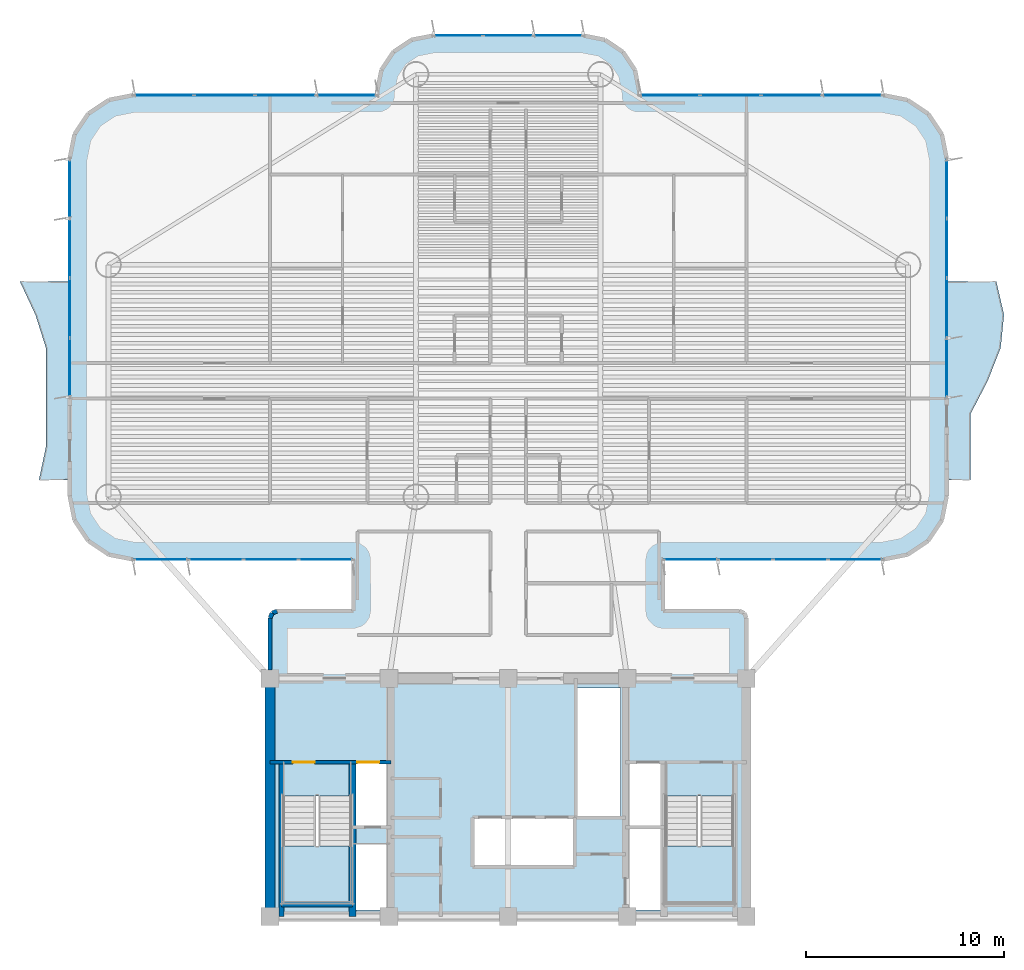
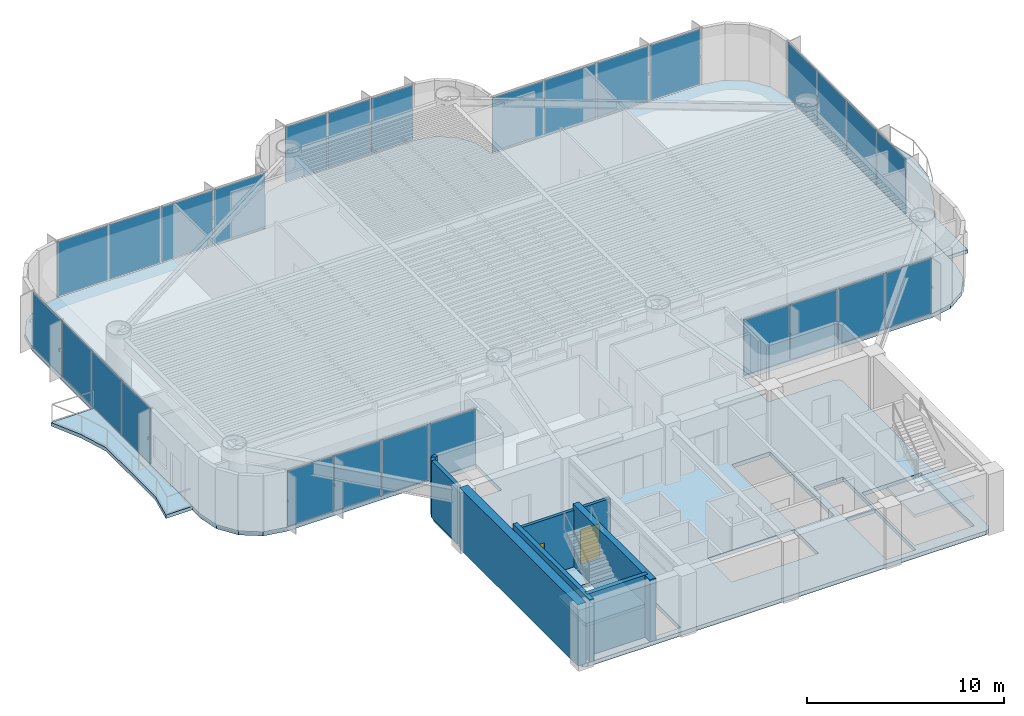
# One storey, part 8 of 17: 27 plates, 8 walls, 5 slabs, 2 doors, 2 openings, 9 elements without a shape of their own.
"""IFC4 building model written with IfcOpenShell, lengths in metres."""

import ifcopenshell
import ifcopenshell.guid

model = None  # the IFC model being written
_history = None  # IfcOwnerHistory: only IFC2X3 demands one
_inside = {}  # id of a spatial element -> (the spatial element, [elements in it])
_under = {}  # id of a project, library or spatial element -> (it, [spatial elements below it])
_declared = {}  # id of a project -> (the project, [libraries it declares])
_typed = {}  # id of a type object -> (the type object, [elements of that type])
_made_of = {}  # id of a material, layer set ... -> (it, [elements and type objects made of it])


def new_model(schema):
    """Start an empty IFC model of exactly this schema.

    Asked for "IFC4X3", IfcOpenShell would pick the latest addendum, in which some entities
    have other attributes; the version numbers below select the first issue.
    IFC2X3 requires an IfcOwnerHistory on every rooted entity: one is made here for all.
    """
    global model, _history
    if schema == "IFC4X3":
        model = ifcopenshell.file(schema_version=(4, 3, 0, 0))
    else:
        model = ifcopenshell.file(schema=schema)
    _inside.clear()
    _under.clear()
    _declared.clear()
    _typed.clear()
    _made_of.clear()
    _history = None
    if model.schema == "IFC2X3":
        org = make("IfcOrganization", Name="unknown")
        user = make(
            "IfcPersonAndOrganization",
            ThePerson=make("IfcPerson", FamilyName="unknown"),
            TheOrganization=org,
        )
        app = make(
            "IfcApplication",
            ApplicationDeveloper=org,
            Version="unknown",
            ApplicationFullName="unknown",
            ApplicationIdentifier="unknown",
        )
        _history = make(
            "IfcOwnerHistory",
            OwningUser=user,
            OwningApplication=app,
            ChangeAction="ADDED",
            CreationDate=0,
        )
    return model


def make(cls, **values):
    """One entity of the class cls with the attributes given. An attribute that is None is left unset."""
    return model.create_entity(
        cls, **{name: value for name, value in values.items() if value is not None}
    )


def rooted(cls, **values):
    """An entity with a GlobalId (a new one), such as an element, a storey or a relation."""
    return make(cls, GlobalId=ifcopenshell.guid.new(), OwnerHistory=_history, **values)


def si_unit(unit_type, name, prefix=None):
    """IfcSIUnit, for example si_unit("LENGTHUNIT", "METRE", prefix="MILLI")."""
    return make("IfcSIUnit", UnitType=unit_type, Prefix=prefix, Name=name)


def assignment(units):
    """IfcUnitAssignment: the units of a project."""
    return None if units is None else make("IfcUnitAssignment", Units=units)


def point(xyz):
    """IfcCartesianPoint."""
    return None if xyz is None else make("IfcCartesianPoint", Coordinates=xyz)


def direction(xyz):
    """IfcDirection."""
    return None if xyz is None else make("IfcDirection", DirectionRatios=xyz)


def frame(location, z_axis=None, x_axis=None):
    """IfcAxis2Placement3D, a coordinate frame: its origin and axes. An axis left out is left unset."""
    return make(
        "IfcAxis2Placement3D",
        Location=point(location),
        Axis=direction(z_axis),
        RefDirection=direction(x_axis),
    )


def frame_2d(location, x_axis=None):
    """IfcAxis2Placement2D, a coordinate frame in the plane: its origin and x axis."""
    return make(
        "IfcAxis2Placement2D", Location=point(location), RefDirection=direction(x_axis)
    )


def origin():
    """The frame at (0, 0, 0) with its axes left unset."""
    return frame((0.0, 0.0, 0.0))


def origin_2d():
    """The frame at (0, 0) in the plane with its x axis left unset."""
    return frame_2d((0.0, 0.0))


def place(relative_to, where):
    """IfcLocalPlacement: puts the frame where relative to a parent placement (None: the world)."""
    return make(
        "IfcLocalPlacement", PlacementRelTo=relative_to, RelativePlacement=where
    )


def context(
    kind, dimensions, precision=None, world=None, true_north=None, identifier=None
):
    """IfcGeometricRepresentationContext, for example the 3D "Model" context."""
    return make(
        "IfcGeometricRepresentationContext",
        ContextIdentifier=identifier,
        ContextType=kind,
        CoordinateSpaceDimension=dimensions,
        Precision=precision,
        WorldCoordinateSystem=world,
        TrueNorth=true_north,
    )


def subcontext(parent, identifier, kind, view, scale=None):
    """IfcGeometricRepresentationSubContext, for example "Body" below "Model"."""
    return make(
        "IfcGeometricRepresentationSubContext",
        ContextIdentifier=identifier,
        ContextType=kind,
        ParentContext=parent,
        TargetScale=scale,
        TargetView=view,
    )


def project(units=None, contexts=None):
    """IfcProject with its units and contexts."""
    return rooted(
        "IfcProject",
        Name="project",
        RepresentationContexts=contexts,
        UnitsInContext=assignment(units),
    )


def spatial(cls, under=None, at=None, **own):
    """A site, building, storey or space (cls), placed at a placement, below another one or the project."""
    s = rooted(cls, ObjectPlacement=at, **own)
    if under is not None:
        _under.setdefault(under.id(), (under, []))[1].append(s)
    return s


def polyline(points):
    """IfcPolyline through the points."""
    return make("IfcPolyline", Points=[point(p) for p in points])


def profile(cls, at=None, kind="AREA", **sizes):
    """A parametric profile (cls). Its sizes go by their IFC names, for example OverallWidth=200.0."""
    return make(cls, ProfileType=kind, Position=at, **sizes)


def rectangle(**sizes):
    """IfcRectangleProfileDef."""
    return profile("IfcRectangleProfileDef", **sizes)


def outline(outer, holes=None, kind="AREA"):
    """IfcArbitraryClosedProfileDef: a profile drawn as a closed curve; with holes, ...WithVoids."""
    if holes is None:
        return make("IfcArbitraryClosedProfileDef", ProfileType=kind, OuterCurve=outer)
    return make(
        "IfcArbitraryProfileDefWithVoids",
        ProfileType=kind,
        OuterCurve=outer,
        InnerCurves=holes,
    )


def extrude(swept, where, along, depth):
    """IfcExtrudedAreaSolid: the profile swept, set in the frame where, extruded along a direction by depth."""
    return make(
        "IfcExtrudedAreaSolid",
        SweptArea=swept,
        Position=where,
        ExtrudedDirection=direction(along),
        Depth=depth,
    )


def shape(context_of_items, identifier, shape_type, items):
    """IfcShapeRepresentation: the items that make up one representation, for example the "Body"."""
    return make(
        "IfcShapeRepresentation",
        ContextOfItems=context_of_items,
        RepresentationIdentifier=identifier,
        RepresentationType=shape_type,
        Items=items,
    )


def source(mapping_origin, context_of_items, identifier, shape_type, items):
    """IfcRepresentationMap: a shape defined once, which mapped items show again and again."""
    return make(
        "IfcRepresentationMap",
        MappingOrigin=mapping_origin,
        MappedRepresentation=shape(context_of_items, identifier, shape_type, items),
    )


def transform(
    local_origin,
    x_axis=None,
    y_axis=None,
    z_axis=None,
    scale=None,
    scale2=None,
    scale3=None,
    uniform=True,
):
    """IfcCartesianTransformationOperator3D, or its non-uniform kind. x_axis, y_axis, z_axis: its Axis1, 2, 3."""
    if uniform:
        return make(
            "IfcCartesianTransformationOperator3D",
            Axis1=direction(x_axis),
            Axis2=direction(y_axis),
            LocalOrigin=point(local_origin),
            Scale=scale,
            Axis3=direction(z_axis),
        )
    return make(
        "IfcCartesianTransformationOperator3DnonUniform",
        Axis1=direction(x_axis),
        Axis2=direction(y_axis),
        LocalOrigin=point(local_origin),
        Scale=scale,
        Axis3=direction(z_axis),
        Scale2=scale2,
        Scale3=scale3,
    )


def mapped(mapping_source, mapping_target):
    """IfcMappedItem: shows the shape of a source again, moved by a transform."""
    return make(
        "IfcMappedItem", MappingSource=mapping_source, MappingTarget=mapping_target
    )


def material(Name=None, Category=None):
    """IfcMaterial."""
    return make("IfcMaterial", Name=Name, Category=Category)


def layer(
    of_material, thickness, ventilated=None, Name=None, Category=None, Priority=None
):
    """IfcMaterialLayer: one layer of a wall or slab, of a material (None: an air gap)."""
    return make(
        "IfcMaterialLayer",
        Material=of_material,
        LayerThickness=thickness,
        IsVentilated=ventilated,
        Name=Name,
        Category=Category,
        Priority=Priority,
    )


def layer_set(layers, Name=None):
    """IfcMaterialLayerSet."""
    return make("IfcMaterialLayerSet", MaterialLayers=layers, LayerSetName=Name)


def made_of(thing, what):
    """Note that an element or type object is made of a material, layer set ...; save() writes the relation."""
    if what is not None:
        _made_of.setdefault(what.id(), (what, []))[1].append(thing)
    return thing


def type_object(cls, material=None, **own):
    """A type object (cls), such as IfcWallType, which elements share."""
    return made_of(rooted(cls, **own), material)


def element(
    cls,
    number,
    at=None,
    inside=None,
    cuts=None,
    type_object=None,
    material=None,
    context=None,
    identifier="Body",
    shape_type=None,
    held_by="IfcProductDefinitionShape",
    body=None,
    shapes=None,
    **own,
):
    """One element of the class cls, such as IfcWall. Its Tag is "e" and its number.

    at: its placement. inside: the storey or other place that contains it. cuts: it is an
    opening in that element (IfcRelVoidsElement). A single representation is given by context,
    identifier, shape_type and body (its items); several are given by shapes. held_by: the class
    of the entity that holds the representations. save() writes the other relations.
    """
    e = rooted(cls, Tag="e%d" % number, ObjectPlacement=at, **own)
    if body is not None:
        shapes = [shape(context, identifier, shape_type, body)]
    if shapes is not None:
        e.Representation = make(held_by, Representations=shapes)
    if inside is not None:
        _inside.setdefault(inside.id(), (inside, []))[1].append(e)
    if cuts is not None:
        rooted(
            "IfcRelVoidsElement", RelatingBuildingElement=cuts, RelatedOpeningElement=e
        )
    if type_object is not None:
        _typed.setdefault(type_object.id(), (type_object, []))[1].append(e)
    return made_of(e, material)


def fill(opening, filler):
    """IfcRelFillsElement: the door or window that sits in an opening."""
    return rooted(
        "IfcRelFillsElement",
        RelatingOpeningElement=opening,
        RelatedBuildingElement=filler,
    )


def aggregate(whole, parts):
    """IfcRelAggregates: a whole, such as a stair, and the parts it consists of."""
    return rooted("IfcRelAggregates", RelatingObject=whole, RelatedObjects=parts)


def save(model, path):
    """Write the relations noted so far, then the file.

    IfcRelAggregates (storeys below a building ...), IfcRelContainedInSpatialStructure (elements
    in a storey), IfcRelDefinesByType, IfcRelAssociatesMaterial and IfcRelDeclares: one each for
    every whole, place, type object, material and project.
    """
    for whole, parts in _under.values():
        aggregate(whole, parts)
    for where, things in _inside.values():
        rooted(
            "IfcRelContainedInSpatialStructure",
            RelatedElements=things,
            RelatingStructure=where,
        )
    for kind, things in _typed.values():
        rooted("IfcRelDefinesByType", RelatedObjects=things, RelatingType=kind)
    for what, things in _made_of.values():
        rooted("IfcRelAssociatesMaterial", RelatedObjects=things, RelatingMaterial=what)
    for by, libraries in _declared.values():
        rooted("IfcRelDeclares", RelatingContext=by, RelatedDefinitions=libraries)
    model.write(path)


model = new_model("IFC4")

# Units and contexts
model_context = context("Model", 3, precision=1e-05, world=origin(), true_north=direction((0.0, 1.0)))
body_context = subcontext(model_context, "Body", "Model", "MODEL_VIEW")
ifc_project = project(units=[si_unit("LENGTHUNIT", "METRE"), si_unit("AREAUNIT", "SQUARE_METRE"), si_unit("VOLUMEUNIT", "CUBIC_METRE"), si_unit("PLANEANGLEUNIT", "RADIAN"), si_unit("MASSUNIT", "GRAM", prefix="KILO")], contexts=[model_context])

# Site, building, storey
site_placement = place(None, origin())
site = spatial("IfcSite", under=ifc_project, at=site_placement, CompositionType="ELEMENT")
building_placement = place(site_placement, origin())
building = spatial("IfcBuilding", under=site, at=building_placement, Name="Brelvock Crest Care Tower", CompositionType="ELEMENT")
storey_placement = place(building_placement, frame((0.0, 0.0, 93.60009765625)))
storey = spatial("IfcBuildingStorey", under=building, at=storey_placement, Name="L23", CompositionType="ELEMENT", Elevation=93.60009765625)

# Slabs
ifc_material_1 = material(Name="Concrete N50 (50 MPa)", Category="concrete")
ifc_layer_1 = layer(ifc_material_1, 0.22998046875, Name="SLB-FL4")
ifc_layer_set_1 = layer_set([ifc_layer_1], Name="Concrete N50 (50 MPa)")
slab_type_1 = type_object("IfcSlabType", Name="SLB-FL4", PredefinedType="FLOOR", material=ifc_layer_set_1)
slab_1_placement = place(storey_placement, frame((0.0, 0.0, -0.25)))
element("IfcSlab", 1, at=slab_1_placement, inside=storey, type_object=slab_type_1, Name="L23 Main Structural Slab", PredefinedType="FLOOR", context=body_context, shape_type="SweptSolid", body=[
    extrude(outline(polyline([(47.64990234375, 21.39990234375), (43.800048828125, 21.39990234375), (43.800048828125, 24.0), (54.89990234375, 24.0), (56.12451171875, 24.24365234375), (57.16259765625, 24.937255859375), (57.8564453125, 25.975341796875), (58.10009765625, 27.199951171875), (58.10009765625, 44.199951171875), (57.8564453125, 45.424560546875), (57.16259765625, 46.462646484375), (56.12451171875, 47.156494140625), (54.89990234375, 47.39990234375), (42.60009765625, 47.39990234375), (42.60009765625, 47.60009765625), (42.386962890625, 48.67138671875), (41.77978515625, 49.579833984375), (40.87158203125, 50.18701171875), (39.800048828125, 50.39990234375), (32.199951171875, 50.39990234375), (31.12841796875, 50.18701171875), (30.22021484375, 49.579833984375), (29.613037109375, 48.67138671875), (29.39990234375, 47.60009765625), (29.39990234375, 47.39990234375), (17.10009765625, 47.39990234375), (15.87548828125, 47.156494140625), (14.83740234375, 46.462646484375), (14.1435546875, 45.424560546875), (13.89990234375, 44.199951171875), (13.89990234375, 27.199951171875), (14.1435546875, 25.975341796875), (14.83740234375, 24.937255859375), (15.87548828125, 24.24365234375), (17.10009765625, 24.0), (28.199951171875, 24.0), (28.199951171875, 21.39990234375), (24.35009765625, 21.39990234375), (24.1025390625, 21.297607421875), (24.0, 21.050048828125), (24.0, 6.35009765625), (24.1025390625, 6.1025390625), (24.35009765625, 6.0), (47.64990234375, 6.0), (47.8974609375, 6.1025390625), (48.0, 6.35009765625), (48.0, 21.050048828125), (47.8974609375, 21.297607421875), (47.64990234375, 21.39990234375)]), holes=[polyline([(28.239990234375, 10.580078125), (29.97998046875, 10.580078125), (29.97998046875, 13.739990234375), (28.239990234375, 13.739990234375), (28.239990234375, 10.580078125)]), polyline([(42.02001953125, 10.580078125), (43.760009765625, 10.580078125), (43.760009765625, 13.739990234375), (42.02001953125, 13.739990234375), (42.02001953125, 10.580078125)]), polyline([(28.239990234375, 6.340087890625), (29.97998046875, 6.340087890625), (29.97998046875, 9.64990234375), (28.239990234375, 9.64990234375), (28.239990234375, 6.340087890625)]), polyline([(24.6298828125, 12.080078125), (24.6298828125, 6.699951171875), (28.110107421875, 6.699951171875), (28.110107421875, 12.080078125), (24.6298828125, 12.080078125)]), polyline([(43.889892578125, 12.080078125), (43.889892578125, 6.699951171875), (47.3701171875, 6.699951171875), (47.3701171875, 12.080078125), (43.889892578125, 12.080078125)]), polyline([(42.02001953125, 6.340087890625), (43.760009765625, 6.340087890625), (43.760009765625, 10.5), (42.02001953125, 10.5), (42.02001953125, 6.340087890625)]), polyline([(34.22998046875, 8.530029296875), (39.320068359375, 8.530029296875), (39.320068359375, 10.969970703125), (34.22998046875, 10.969970703125), (34.22998046875, 8.530029296875)]), polyline([(39.429931640625, 11.030029296875), (41.669921875, 11.030029296875), (41.669921875, 17.52001953125), (39.429931640625, 17.52001953125), (39.429931640625, 11.030029296875)])]), origin(), (0.0, 0.0, 1.0), 0.25),
])
ifc_layer_2 = layer(ifc_material_1, 0.219970703125, Name="SLB-WB1")
ifc_layer_set_2 = layer_set([ifc_layer_2], Name="Concrete N50 (50 MPa)")
slab_type_2 = type_object("IfcSlabType", Name="SLB-WB1", PredefinedType="FLOOR", material=ifc_layer_set_2)
slab_2_placement = place(storey_placement, frame((0.0, 0.0, -0.22021484375)))
element("IfcSlab", 2, at=slab_2_placement, inside=storey, type_object=slab_type_2, Name="L23 W Sinusoidal Wave Balcony Slab", PredefinedType="FLOOR", context=body_context, shape_type="SweptSolid", body=[
    extrude(outline(polyline([(13.89990234375, 38.0), (11.3955078125, 38.0), (12.173828125, 36.333251953125), (12.699951171875, 34.666748046875), (12.699951171875, 33.0), (12.699951171875, 31.333251953125), (12.699951171875, 29.666748046875), (12.35009765625, 28.0), (13.89990234375, 28.0), (13.89990234375, 38.0)])), origin(), (0.0, 0.0, 1.0), 0.22021484375),
])
slab_3_placement = place(storey_placement, frame((0.0, 0.0, -0.22021484375)))
element("IfcSlab", 3, at=slab_3_placement, inside=storey, type_object=slab_type_2, Name="L23 E Sinusoidal Wave Balcony Slab", PredefinedType="FLOOR", context=body_context, shape_type="SweptSolid", body=[
    extrude(outline(polyline([(58.10009765625, 28.0), (59.300048828125, 28.0), (59.300048828125, 29.666748046875), (59.300537109375, 31.333251953125), (60.16650390625, 33.0), (60.819091796875, 34.666748046875), (60.988525390625, 36.333251953125), (60.6044921875, 38.0), (58.10009765625, 38.0), (58.10009765625, 28.0)])), origin(), (0.0, 0.0, 1.0), 0.22021484375),
])

# Stair, slab
ifc_material_2 = material(Name="Concrete N40 (40 MPa)", Category="concrete")
stair_type = type_object("IfcStairType", Name="ST-CORE1", PredefinedType="HALF_TURN_STAIR", material=ifc_material_2)
stair_1_placement = place(storey_placement, origin())
stair_1 = element("IfcStair", 4, at=stair_1_placement, inside=storey, type_object=stair_type, Name="L23 Fire-Isolated Core Stair ST-1", PredefinedType="HALF_TURN_STAIR")
ifc_layer_3 = layer(ifc_material_2, 0.199951171875, Name="STL-1")
ifc_layer_set_3 = layer_set([ifc_layer_3], Name="Concrete N40 (40 MPa)")
slab_type_3 = type_object("IfcSlabType", Name="STL-1", PredefinedType="LANDING", material=ifc_layer_set_3)
slab_4_placement = place(storey_placement, frame((0.0, 0.0, 1.68994140625)))
slab_4 = element("IfcSlab", 5, at=slab_4_placement, type_object=slab_type_3, Name="ST-1 landing 1", PredefinedType="LANDING", context=body_context, shape_type="SweptSolid", body=[
    extrude(outline(polyline([(24.6298828125, 9.56005859375), (24.6298828125, 6.699951171875), (28.110107421875, 6.699951171875), (28.110107421875, 9.56005859375), (24.6298828125, 9.56005859375)])), origin(), (0.0, 0.0, 1.0), 0.199951171875),
])
aggregate(stair_1, [slab_4])

stair_2_placement = place(storey_placement, origin())
stair_2 = element("IfcStair", 6, at=stair_2_placement, inside=storey, type_object=stair_type, Name="L23 Fire-Isolated Core Stair ST-2", PredefinedType="HALF_TURN_STAIR")
slab_5_placement = place(storey_placement, frame((0.0, 0.0, 1.68994140625)))
slab_5 = element("IfcSlab", 7, at=slab_5_placement, type_object=slab_type_3, Name="ST-2 landing 1", PredefinedType="LANDING", context=body_context, shape_type="SweptSolid", body=[
    extrude(outline(polyline([(43.889892578125, 9.56005859375), (43.889892578125, 6.699951171875), (47.3701171875, 6.699951171875), (47.3701171875, 9.56005859375), (43.889892578125, 9.56005859375)])), origin(), (0.0, 0.0, 1.0), 0.199951171875),
])
aggregate(stair_2, [slab_5])

# Curtain wall, plates
ifc_material_3 = material(Name="Dark Glass Double Glazed Low-E", Category="glass")
ifc_layer_4 = layer(ifc_material_3, 0.2099609375, Name="CWS-3")
ifc_layer_set_4 = layer_set([ifc_layer_4], Name="Dark Glass Double Glazed Low-E")
curtain_wall_type = type_object("IfcCurtainWallType", Name="CWS-3", PredefinedType="NOTDEFINED", material=ifc_layer_set_4)
curtain_wall_1_placement = place(storey_placement, origin())
curtain_wall_1 = element("IfcCurtainWall", 8, at=curtain_wall_1_placement, inside=storey, type_object=curtain_wall_type, Name="L23 Curtain Wall E12", PredefinedType="NOTDEFINED")
ifc_layer_5 = layer(ifc_material_3, 0.031982421875, Name="CWP-V1")
ifc_layer_set_5 = layer_set([ifc_layer_5], Name="Dark Glass Double Glazed Low-E")
plate_type = type_object("IfcPlateType", Name="CWP-V1", PredefinedType="CURTAIN_PANEL", material=ifc_layer_set_5)
shared_shape_1 = source(origin(), body_context, "Body", "SweptSolid", [
    extrude(rectangle(XDim=2.68505859375, YDim=0.035888671875, at=origin_2d()), origin(), (0.0, 0.0, 1.0), 3.409912109375),
])
plate_1_placement = place(storey_placement, frame((26.797607421875, 24.0, 0.06005859375), z_axis=(0.0, 0.0, 1.0), x_axis=(-1.0, 0.0, 0.0)))
plate_1 = element("IfcPlate", 9, at=plate_1_placement, type_object=plate_type, Name="CW-3 panel 1.1", PredefinedType="CURTAIN_PANEL", context=body_context, shape_type="MappedRepresentation", body=[
    mapped(shared_shape_1, transform((0.0, 0.0, 0.0), x_axis=(1.0, 0.0, 0.0), y_axis=(0.0, 1.0, 0.0), z_axis=(0.0, 0.0, 1.0), scale=1.0)),
])
plate_2_placement = place(storey_placement, frame((18.50244140625, 24.0, 0.06005859375), z_axis=(0.0, 0.0, 1.0), x_axis=(-1.0, 0.0, 0.0)))
plate_2 = element("IfcPlate", 10, at=plate_2_placement, type_object=plate_type, Name="CW-3 panel 4.1", PredefinedType="CURTAIN_PANEL", context=body_context, shape_type="MappedRepresentation", body=[
    mapped(shared_shape_1, transform((0.0, 0.0, 0.0), x_axis=(1.0, 0.0, 0.0), y_axis=(0.0, 1.0, 0.0), z_axis=(0.0, 0.0, 1.0), scale=1.0)),
])

curtain_wall_2_placement = place(storey_placement, origin())
curtain_wall_2 = element("IfcCurtainWall", 11, at=curtain_wall_2_placement, inside=storey, type_object=curtain_wall_type, Name="L23 Curtain Wall E44", PredefinedType="NOTDEFINED")
plate_3_placement = place(storey_placement, frame((53.49755859375, 24.0, 0.06005859375), z_axis=(0.0, 0.0, 1.0), x_axis=(-1.0, 0.0, 0.0)))
plate_3 = element("IfcPlate", 12, at=plate_3_placement, type_object=plate_type, Name="CW-3 panel 1.1", PredefinedType="CURTAIN_PANEL", context=body_context, shape_type="MappedRepresentation", body=[
    mapped(shared_shape_1, transform((0.0, 0.0, 0.0), x_axis=(1.0, 0.0, 0.0), y_axis=(0.0, 1.0, 0.0), z_axis=(0.0, 0.0, 1.0), scale=1.0)),
])
plate_4_placement = place(storey_placement, frame((45.202392578125, 24.0, 0.06005859375), z_axis=(0.0, 0.0, 1.0), x_axis=(-1.0, 0.0, 0.0)))
plate_4 = element("IfcPlate", 13, at=plate_4_placement, type_object=plate_type, Name="CW-3 panel 4.1", PredefinedType="CURTAIN_PANEL", context=body_context, shape_type="MappedRepresentation", body=[
    mapped(shared_shape_1, transform((0.0, 0.0, 0.0), x_axis=(1.0, 0.0, 0.0), y_axis=(0.0, 1.0, 0.0), z_axis=(0.0, 0.0, 1.0), scale=1.0)),
])

# Plate
shared_shape_2 = source(origin(), body_context, "Body", "SweptSolid", [
    extrude(rectangle(XDim=2.715087890625, YDim=0.035888671875, at=origin_2d()), origin(), (0.0, 0.0, 1.0), 3.409912109375),
])
plate_5_placement = place(storey_placement, frame((24.03759765625, 24.0, 0.06005859375), z_axis=(0.0, 0.0, 1.0), x_axis=(-1.0, 0.0, 0.0)))
plate_5 = element("IfcPlate", 14, at=plate_5_placement, type_object=plate_type, Name="CW-3 panel 2.1", PredefinedType="CURTAIN_PANEL", context=body_context, shape_type="MappedRepresentation", body=[
    mapped(shared_shape_2, transform((0.0, 0.0, 0.0), x_axis=(1.0, 0.0, 0.0), y_axis=(0.0, 1.0, 0.0), z_axis=(0.0, 0.0, 1.0), scale=1.0)),
])

plate_6_placement = place(storey_placement, frame((21.262451171875, 24.0, 0.06005859375), z_axis=(0.0, 0.0, 1.0), x_axis=(-1.0, 0.0, 0.0)))
plate_6 = element("IfcPlate", 15, at=plate_6_placement, type_object=plate_type, Name="CW-3 panel 3.1", PredefinedType="CURTAIN_PANEL", context=body_context, shape_type="MappedRepresentation", body=[
    mapped(shared_shape_2, transform((0.0, 0.0, 0.0), x_axis=(1.0, 0.0, 0.0), y_axis=(0.0, 1.0, 0.0), z_axis=(0.0, 0.0, 1.0), scale=1.0)),
])

aggregate(curtain_wall_1, [plate_1, plate_5, plate_6, plate_2])

plate_7_placement = place(storey_placement, frame((50.737548828125, 24.0, 0.06005859375), z_axis=(0.0, 0.0, 1.0), x_axis=(-1.0, 0.0, 0.0)))
plate_7 = element("IfcPlate", 16, at=plate_7_placement, type_object=plate_type, Name="CW-3 panel 2.1", PredefinedType="CURTAIN_PANEL", context=body_context, shape_type="MappedRepresentation", body=[
    mapped(shared_shape_2, transform((0.0, 0.0, 0.0), x_axis=(1.0, 0.0, 0.0), y_axis=(0.0, 1.0, 0.0), z_axis=(0.0, 0.0, 1.0), scale=1.0)),
])

plate_8_placement = place(storey_placement, frame((47.96240234375, 24.0, 0.06005859375), z_axis=(0.0, 0.0, 1.0), x_axis=(-1.0, 0.0, 0.0)))
plate_8 = element("IfcPlate", 17, at=plate_8_placement, type_object=plate_type, Name="CW-3 panel 3.1", PredefinedType="CURTAIN_PANEL", context=body_context, shape_type="MappedRepresentation", body=[
    mapped(shared_shape_2, transform((0.0, 0.0, 0.0), x_axis=(1.0, 0.0, 0.0), y_axis=(0.0, 1.0, 0.0), z_axis=(0.0, 0.0, 1.0), scale=1.0)),
])

aggregate(curtain_wall_2, [plate_3, plate_7, plate_8, plate_4])

# Curtain wall, plates
curtain_wall_3_placement = place(storey_placement, origin())
curtain_wall_3 = element("IfcCurtainWall", 18, at=curtain_wall_3_placement, inside=storey, type_object=curtain_wall_type, Name="L23 Curtain Wall E17B", PredefinedType="NOTDEFINED")
shared_shape_3 = source(origin(), body_context, "Body", "SweptSolid", [
    extrude(rectangle(XDim=2.922607421875, YDim=0.035888671875, at=origin_2d()), origin(), (0.0, 0.0, 1.0), 3.409912109375),
])
plate_9_placement = place(storey_placement, frame((13.89990234375, 33.671142578125, 0.06005859375), z_axis=(0.0, 0.0, 1.0), x_axis=(0.0, 1.0, 0.0)))
plate_9 = element("IfcPlate", 19, at=plate_9_placement, type_object=plate_type, Name="CW-3 panel 1.1", PredefinedType="CURTAIN_PANEL", context=body_context, shape_type="MappedRepresentation", body=[
    mapped(shared_shape_3, transform((0.0, 0.0, 0.0), x_axis=(1.0, 0.0, 0.0), y_axis=(0.0, 1.0, 0.0), z_axis=(0.0, 0.0, 1.0), scale=1.0)),
])
plate_10_placement = place(storey_placement, frame((13.89990234375, 42.6787109375, 0.06005859375), z_axis=(0.0, 0.0, 1.0), x_axis=(0.0, 1.0, 0.0)))
plate_10 = element("IfcPlate", 20, at=plate_10_placement, type_object=plate_type, Name="CW-3 panel 4.1", PredefinedType="CURTAIN_PANEL", context=body_context, shape_type="MappedRepresentation", body=[
    mapped(shared_shape_3, transform((0.0, 0.0, 0.0), x_axis=(1.0, 0.0, 0.0), y_axis=(0.0, 1.0, 0.0), z_axis=(0.0, 0.0, 1.0), scale=1.0)),
])

curtain_wall_4_placement = place(storey_placement, origin())
curtain_wall_4 = element("IfcCurtainWall", 21, at=curtain_wall_4_placement, inside=storey, type_object=curtain_wall_type, Name="L23 Curtain Wall E39A", PredefinedType="NOTDEFINED")
plate_11_placement = place(storey_placement, frame((58.10009765625, 42.6787109375, 0.06005859375), z_axis=(0.0, 0.0, 1.0), x_axis=(0.0, -1.0, 0.0)))
plate_11 = element("IfcPlate", 22, at=plate_11_placement, type_object=plate_type, Name="CW-3 panel 1.1", PredefinedType="CURTAIN_PANEL", context=body_context, shape_type="MappedRepresentation", body=[
    mapped(shared_shape_3, transform((0.0, 0.0, 0.0), x_axis=(1.0, 0.0, 0.0), y_axis=(0.0, 1.0, 0.0), z_axis=(0.0, 0.0, 1.0), scale=1.0)),
])
plate_12_placement = place(storey_placement, frame((58.10009765625, 33.671142578125, 0.06005859375), z_axis=(0.0, 0.0, 1.0), x_axis=(0.0, -1.0, 0.0)))
plate_12 = element("IfcPlate", 23, at=plate_12_placement, type_object=plate_type, Name="CW-3 panel 4.1", PredefinedType="CURTAIN_PANEL", context=body_context, shape_type="MappedRepresentation", body=[
    mapped(shared_shape_3, transform((0.0, 0.0, 0.0), x_axis=(1.0, 0.0, 0.0), y_axis=(0.0, 1.0, 0.0), z_axis=(0.0, 0.0, 1.0), scale=1.0)),
])

# Plate
shared_shape_4 = source(origin(), body_context, "Body", "SweptSolid", [
    extrude(rectangle(XDim=2.952392578125, YDim=0.035888671875, at=origin_2d()), origin(), (0.0, 0.0, 1.0), 3.409912109375),
])
plate_13_placement = place(storey_placement, frame((13.89990234375, 36.668701171875, 0.06005859375), z_axis=(0.0, 0.0, 1.0), x_axis=(0.0, 1.0, 0.0)))
plate_13 = element("IfcPlate", 24, at=plate_13_placement, type_object=plate_type, Name="CW-3 panel 2.1", PredefinedType="CURTAIN_PANEL", context=body_context, shape_type="MappedRepresentation", body=[
    mapped(shared_shape_4, transform((0.0, 0.0, 0.0), x_axis=(1.0, 0.0, 0.0), y_axis=(0.0, 1.0, 0.0), z_axis=(0.0, 0.0, 1.0), scale=1.0)),
])

plate_14_placement = place(storey_placement, frame((13.89990234375, 39.68115234375, 0.06005859375), z_axis=(0.0, 0.0, 1.0), x_axis=(0.0, 1.0, 0.0)))
plate_14 = element("IfcPlate", 25, at=plate_14_placement, type_object=plate_type, Name="CW-3 panel 3.1", PredefinedType="CURTAIN_PANEL", context=body_context, shape_type="MappedRepresentation", body=[
    mapped(shared_shape_4, transform((0.0, 0.0, 0.0), x_axis=(1.0, 0.0, 0.0), y_axis=(0.0, 1.0, 0.0), z_axis=(0.0, 0.0, 1.0), scale=1.0)),
])

aggregate(curtain_wall_3, [plate_9, plate_13, plate_14, plate_10])

plate_15_placement = place(storey_placement, frame((58.10009765625, 39.68115234375, 0.06005859375), z_axis=(0.0, 0.0, 1.0), x_axis=(0.0, -1.0, 0.0)))
plate_15 = element("IfcPlate", 26, at=plate_15_placement, type_object=plate_type, Name="CW-3 panel 2.1", PredefinedType="CURTAIN_PANEL", context=body_context, shape_type="MappedRepresentation", body=[
    mapped(shared_shape_4, transform((0.0, 0.0, 0.0), x_axis=(1.0, 0.0, 0.0), y_axis=(0.0, 1.0, 0.0), z_axis=(0.0, 0.0, 1.0), scale=1.0)),
])

plate_16_placement = place(storey_placement, frame((58.10009765625, 36.668701171875, 0.06005859375), z_axis=(0.0, 0.0, 1.0), x_axis=(0.0, -1.0, 0.0)))
plate_16 = element("IfcPlate", 27, at=plate_16_placement, type_object=plate_type, Name="CW-3 panel 3.1", PredefinedType="CURTAIN_PANEL", context=body_context, shape_type="MappedRepresentation", body=[
    mapped(shared_shape_4, transform((0.0, 0.0, 0.0), x_axis=(1.0, 0.0, 0.0), y_axis=(0.0, 1.0, 0.0), z_axis=(0.0, 0.0, 1.0), scale=1.0)),
])

aggregate(curtain_wall_4, [plate_11, plate_15, plate_16, plate_12])

# Curtain wall, plates
curtain_wall_5_placement = place(storey_placement, origin())
curtain_wall_5 = element("IfcCurtainWall", 28, at=curtain_wall_5_placement, inside=storey, type_object=curtain_wall_type, Name="L23 Curtain Wall E22", PredefinedType="NOTDEFINED")
shared_shape_5 = source(origin(), body_context, "Body", "SweptSolid", [
    extrude(rectangle(XDim=2.985107421875, YDim=0.035888671875, at=origin_2d()), origin(), (0.0, 0.0, 1.0), 3.409912109375),
])
plate_17_placement = place(storey_placement, frame((18.652587890625, 47.39990234375, 0.06005859375), z_axis=(0.0, 0.0, 1.0), x_axis=(1.0, 0.0, 0.0)))
plate_17 = element("IfcPlate", 29, at=plate_17_placement, type_object=plate_type, Name="CW-3 panel 1.1", PredefinedType="CURTAIN_PANEL", context=body_context, shape_type="MappedRepresentation", body=[
    mapped(shared_shape_5, transform((0.0, 0.0, 0.0), x_axis=(1.0, 0.0, 0.0), y_axis=(0.0, 1.0, 0.0), z_axis=(0.0, 0.0, 1.0), scale=1.0)),
])
plate_18_placement = place(storey_placement, frame((27.847412109375, 47.39990234375, 0.06005859375), z_axis=(0.0, 0.0, 1.0), x_axis=(1.0, 0.0, 0.0)))
plate_18 = element("IfcPlate", 30, at=plate_18_placement, type_object=plate_type, Name="CW-3 panel 4.1", PredefinedType="CURTAIN_PANEL", context=body_context, shape_type="MappedRepresentation", body=[
    mapped(shared_shape_5, transform((0.0, 0.0, 0.0), x_axis=(1.0, 0.0, 0.0), y_axis=(0.0, 1.0, 0.0), z_axis=(0.0, 0.0, 1.0), scale=1.0)),
])

curtain_wall_6_placement = place(storey_placement, origin())
curtain_wall_6 = element("IfcCurtainWall", 31, at=curtain_wall_6_placement, inside=storey, type_object=curtain_wall_type, Name="L23 Curtain Wall E34", PredefinedType="NOTDEFINED")
plate_19_placement = place(storey_placement, frame((44.152587890625, 47.39990234375, 0.06005859375), z_axis=(0.0, 0.0, 1.0), x_axis=(1.0, 0.0, 0.0)))
plate_19 = element("IfcPlate", 32, at=plate_19_placement, type_object=plate_type, Name="CW-3 panel 1.1", PredefinedType="CURTAIN_PANEL", context=body_context, shape_type="MappedRepresentation", body=[
    mapped(shared_shape_5, transform((0.0, 0.0, 0.0), x_axis=(1.0, 0.0, 0.0), y_axis=(0.0, 1.0, 0.0), z_axis=(0.0, 0.0, 1.0), scale=1.0)),
])
plate_20_placement = place(storey_placement, frame((53.347412109375, 47.39990234375, 0.06005859375), z_axis=(0.0, 0.0, 1.0), x_axis=(1.0, 0.0, 0.0)))
plate_20 = element("IfcPlate", 33, at=plate_20_placement, type_object=plate_type, Name="CW-3 panel 4.1", PredefinedType="CURTAIN_PANEL", context=body_context, shape_type="MappedRepresentation", body=[
    mapped(shared_shape_5, transform((0.0, 0.0, 0.0), x_axis=(1.0, 0.0, 0.0), y_axis=(0.0, 1.0, 0.0), z_axis=(0.0, 0.0, 1.0), scale=1.0)),
])

# Plate
shared_shape_6 = source(origin(), body_context, "Body", "SweptSolid", [
    extrude(rectangle(XDim=3.014892578125, YDim=0.035888671875, at=origin_2d()), origin(), (0.0, 0.0, 1.0), 3.409912109375),
])
plate_21_placement = place(storey_placement, frame((21.71240234375, 47.39990234375, 0.06005859375), z_axis=(0.0, 0.0, 1.0), x_axis=(1.0, 0.0, 0.0)))
plate_21 = element("IfcPlate", 34, at=plate_21_placement, type_object=plate_type, Name="CW-3 panel 2.1", PredefinedType="CURTAIN_PANEL", context=body_context, shape_type="MappedRepresentation", body=[
    mapped(shared_shape_6, transform((0.0, 0.0, 0.0), x_axis=(1.0, 0.0, 0.0), y_axis=(0.0, 1.0, 0.0), z_axis=(0.0, 0.0, 1.0), scale=1.0)),
])

plate_22_placement = place(storey_placement, frame((24.78759765625, 47.39990234375, 0.06005859375), z_axis=(0.0, 0.0, 1.0), x_axis=(1.0, 0.0, 0.0)))
plate_22 = element("IfcPlate", 35, at=plate_22_placement, type_object=plate_type, Name="CW-3 panel 3.1", PredefinedType="CURTAIN_PANEL", context=body_context, shape_type="MappedRepresentation", body=[
    mapped(shared_shape_6, transform((0.0, 0.0, 0.0), x_axis=(1.0, 0.0, 0.0), y_axis=(0.0, 1.0, 0.0), z_axis=(0.0, 0.0, 1.0), scale=1.0)),
])

aggregate(curtain_wall_5, [plate_17, plate_21, plate_22, plate_18])

plate_23_placement = place(storey_placement, frame((47.21240234375, 47.39990234375, 0.06005859375), z_axis=(0.0, 0.0, 1.0), x_axis=(1.0, 0.0, 0.0)))
plate_23 = element("IfcPlate", 36, at=plate_23_placement, type_object=plate_type, Name="CW-3 panel 2.1", PredefinedType="CURTAIN_PANEL", context=body_context, shape_type="MappedRepresentation", body=[
    mapped(shared_shape_6, transform((0.0, 0.0, 0.0), x_axis=(1.0, 0.0, 0.0), y_axis=(0.0, 1.0, 0.0), z_axis=(0.0, 0.0, 1.0), scale=1.0)),
])

plate_24_placement = place(storey_placement, frame((50.28759765625, 47.39990234375, 0.06005859375), z_axis=(0.0, 0.0, 1.0), x_axis=(1.0, 0.0, 0.0)))
plate_24 = element("IfcPlate", 37, at=plate_24_placement, type_object=plate_type, Name="CW-3 panel 3.1", PredefinedType="CURTAIN_PANEL", context=body_context, shape_type="MappedRepresentation", body=[
    mapped(shared_shape_6, transform((0.0, 0.0, 0.0), x_axis=(1.0, 0.0, 0.0), y_axis=(0.0, 1.0, 0.0), z_axis=(0.0, 0.0, 1.0), scale=1.0)),
])

aggregate(curtain_wall_6, [plate_19, plate_23, plate_24, plate_20])

# Curtain wall, plates
curtain_wall_7_placement = place(storey_placement, origin())
curtain_wall_7 = element("IfcCurtainWall", 38, at=curtain_wall_7_placement, inside=storey, type_object=curtain_wall_type, Name="L23 Curtain Wall E28", PredefinedType="NOTDEFINED")
shared_shape_7 = source(origin(), body_context, "Body", "SweptSolid", [
    extrude(rectangle(XDim=2.443359375, YDim=0.035888671875, at=origin_2d()), origin(), (0.0, 0.0, 1.0), 3.409912109375),
])
plate_25_placement = place(storey_placement, frame((33.481689453125, 50.39990234375, 0.06005859375), z_axis=(0.0, 0.0, 1.0), x_axis=(1.0, 0.0, 0.0)))
plate_25 = element("IfcPlate", 39, at=plate_25_placement, type_object=plate_type, Name="CW-3 panel 1.1", PredefinedType="CURTAIN_PANEL", context=body_context, shape_type="MappedRepresentation", body=[
    mapped(shared_shape_7, transform((0.0, 0.0, 0.0), x_axis=(1.0, 0.0, 0.0), y_axis=(0.0, 1.0, 0.0), z_axis=(0.0, 0.0, 1.0), scale=1.0)),
])
plate_26_placement = place(storey_placement, frame((38.518310546875, 50.39990234375, 0.06005859375), z_axis=(0.0, 0.0, 1.0), x_axis=(1.0, 0.0, 0.0)))
plate_26 = element("IfcPlate", 40, at=plate_26_placement, type_object=plate_type, Name="CW-3 panel 3.1", PredefinedType="CURTAIN_PANEL", context=body_context, shape_type="MappedRepresentation", body=[
    mapped(shared_shape_7, transform((0.0, 0.0, 0.0), x_axis=(1.0, 0.0, 0.0), y_axis=(0.0, 1.0, 0.0), z_axis=(0.0, 0.0, 1.0), scale=1.0)),
])
shared_shape_8 = source(origin(), body_context, "Body", "SweptSolid", [
    extrude(rectangle(XDim=2.473388671875, YDim=0.035888671875, at=origin_2d()), origin(), (0.0, 0.0, 1.0), 3.409912109375),
])
plate_27_placement = place(storey_placement, frame((36.0, 50.39990234375, 0.06005859375), z_axis=(0.0, 0.0, 1.0), x_axis=(1.0, 0.0, 0.0)))
plate_27 = element("IfcPlate", 41, at=plate_27_placement, type_object=plate_type, Name="CW-3 panel 2.1", PredefinedType="CURTAIN_PANEL", context=body_context, shape_type="MappedRepresentation", body=[
    mapped(shared_shape_8, transform((0.0, 0.0, 0.0), x_axis=(1.0, 0.0, 0.0), y_axis=(0.0, 1.0, 0.0), z_axis=(0.0, 0.0, 1.0), scale=1.0)),
])
aggregate(curtain_wall_7, [plate_25, plate_27, plate_26])

# Walls
ifc_material_4 = material(Name="Concrete S80 (80 MPa)", Category="concrete")
ifc_layer_6 = layer(ifc_material_4, 0.5, Name="WL-CS2")
ifc_layer_set_6 = layer_set([ifc_layer_6], Name="Concrete S80 (80 MPa)")
wall_type_1 = type_object("IfcWallType", Name="WL-CS2", PredefinedType="SHEAR", material=ifc_layer_set_6)
wall_1_placement = place(storey_placement, frame((24.0, 6.0, 0.0), z_axis=(0.0, 0.0, 1.0), x_axis=(0.0, 1.0, 0.0)))
element("IfcWall", 42, at=wall_1_placement, inside=storey, type_object=wall_type_1, Name="L23 Core West Shear Wall", PredefinedType="SHEAR", context=body_context, shape_type="SweptSolid", body=[
    extrude(rectangle(XDim=12.0, YDim=0.5, at=frame_2d((6.0, 0.0))), origin(), (0.0, 0.0, 1.0), 3.77978515625),
])
ifc_layer_7 = layer(ifc_material_4, 0.35009765625, Name="WL-CS5")
ifc_layer_set_7 = layer_set([ifc_layer_7], Name="Concrete S80 (80 MPa)")
wall_type_2 = type_object("IfcWallType", Name="WL-CS5", PredefinedType="SHEAR", material=ifc_layer_set_7)
wall_2_placement = place(storey_placement, frame((28.14990234375, 6.0, 0.0), z_axis=(0.0, 0.0, 1.0), x_axis=(0.0, 1.0, 0.0)))
element("IfcWall", 43, at=wall_2_placement, inside=storey, type_object=wall_type_2, Name="L23 Core Stair ST-1 East Shear Wall", PredefinedType="SHEAR", context=body_context, shape_type="SweptSolid", body=[
    extrude(rectangle(XDim=7.780029296875, YDim=0.35009765625, at=frame_2d((3.89013671875, 0.0))), origin(), (0.0, 0.0, 1.0), 3.849853515625),
])
ifc_layer_8 = layer(ifc_material_4, 0.25, Name="WL-CS6")
ifc_layer_set_8 = layer_set([ifc_layer_8], Name="Concrete S80 (80 MPa)")
wall_type_3 = type_object("IfcWallType", Name="WL-CS6", PredefinedType="SHEAR", material=ifc_layer_set_8)
wall_3_placement = place(storey_placement, frame((24.580078125, 6.0, 0.0), z_axis=(0.0, 0.0, 1.0), x_axis=(0.0, 1.0, 0.0)))
element("IfcWall", 44, at=wall_3_placement, inside=storey, type_object=wall_type_3, Name="L23 Core Stair ST-1 West Shear Wall", PredefinedType="SHEAR", context=body_context, shape_type="SweptSolid", body=[
    extrude(rectangle(XDim=7.780029296875, YDim=0.25, at=frame_2d((3.89013671875, 0.0))), origin(), (0.0, 0.0, 1.0), 3.849853515625),
])
wall_4_placement = place(storey_placement, frame((24.580078125, 6.6201171875, 0.0), z_axis=(0.0, 0.0, 1.0), x_axis=(1.0, 0.0, 0.0)))
element("IfcWall", 45, at=wall_4_placement, inside=storey, type_object=wall_type_3, Name="L23 Core Stair ST-1 South Shear Wall", PredefinedType="SHEAR", context=body_context, shape_type="SweptSolid", body=[
    extrude(rectangle(XDim=3.56982421875, YDim=0.25, at=frame_2d((1.784912109375, 0.0))), origin(), (0.0, 0.0, 1.0), 3.849853515625),
])
ifc_material_5 = material(Name="Precast concrete N40 (40 MPa)", Category="concrete")
ifc_layer_9 = layer(ifc_material_5, 0.215087890625, Name="WL-EX2")
ifc_layer_set_9 = layer_set([ifc_layer_9], Name="Precast concrete N40 (40 MPa)")
wall_type_4 = type_object("IfcWallType", Name="WL-EX2", PredefinedType="SOLIDWALL", material=ifc_layer_set_9)
wall_5_placement = place(storey_placement, frame((24.0, 18.429931640625, 0.0), z_axis=(0.0, 0.0, 1.0), x_axis=(0.0, 1.0, 0.0)))
element("IfcWall", 46, at=wall_5_placement, inside=storey, type_object=wall_type_4, Name="L23 Rounded Corner Wall 07", PredefinedType="SOLIDWALL", context=body_context, shape_type="SweptSolid", body=[
    extrude(rectangle(XDim=2.6201171875, YDim=0.215087890625, at=frame_2d((1.31005859375, 0.0))), origin(), (0.0, 0.0, 1.0), 3.52978515625),
])
wall_6_placement = place(storey_placement, frame((24.0, 21.050048828125, 0.0), z_axis=(0.0, 0.0, 1.0), x_axis=(0.382673670509, 0.923883575944, 0.0)))
element("IfcWall", 47, at=wall_6_placement, inside=storey, type_object=wall_type_4, Name="L23 Rounded Corner Wall 08", PredefinedType="SOLIDWALL", context=body_context, shape_type="SweptSolid", body=[
    extrude(rectangle(XDim=0.26806640625, YDim=0.215087890625, at=frame_2d((0.134033203125, 0.0))), origin(), (0.0, 0.0, 1.0), 3.52978515625),
])
wall_7_placement = place(storey_placement, frame((24.1025390625, 21.297607421875, 0.0), z_axis=(0.0, 0.0, 1.0), x_axis=(0.924205486139, 0.381895560841, 0.0)))
element("IfcWall", 48, at=wall_7_placement, inside=storey, type_object=wall_type_4, Name="L23 Rounded Corner Wall 09", PredefinedType="SOLIDWALL", context=body_context, shape_type="SweptSolid", body=[
    extrude(rectangle(XDim=0.267822265625, YDim=0.215087890625, at=frame_2d((0.1337890625, 0.0))), origin(), (0.0, 0.0, 1.0), 3.52978515625),
])

# Wall, openings, doors
ifc_material_6 = material(Name="Masonry Blockwork Acoustic Partition", Category="masonry")
ifc_layer_10 = layer(ifc_material_6, 0.179931640625, Name="WL-SHF1")
ifc_layer_set_10 = layer_set([ifc_layer_10], Name="Masonry Blockwork Acoustic Partition")
wall_type_5 = type_object("IfcWallType", Name="WL-SHF1", PredefinedType="PARTITIONING", material=ifc_layer_set_10)
wall_8_placement = place(storey_placement, frame((24.0, 13.780029296875, 0.0), z_axis=(0.0, 0.0, 1.0), x_axis=(1.0, 0.0, 0.0)))
wall_8 = element("IfcWall", 49, at=wall_8_placement, inside=storey, type_object=wall_type_5, Name="L23 Interior Wall WL-ST1-N-L23", PredefinedType="PARTITIONING", context=body_context, shape_type="SweptSolid", body=[
    extrude(rectangle(XDim=6.10009765625, YDim=0.179931640625, at=frame_2d((3.050048828125, 0.0))), origin(), (0.0, 0.0, 1.0), 3.5),
])
opening_1_placement = place(wall_8_placement, frame((1.14990234375, 0.0, 0.0)))
opening_1 = element("IfcOpeningElement", 50, at=opening_1_placement, cuts=wall_8, Name="Opening SD-1", PredefinedType="OPENING", context=body_context, shape_type="SweptSolid", body=[
    extrude(rectangle(XDim=1.10009765625, YDim=2.10009765625, at=origin_2d()), frame((0.550048828125, 0.10009765625, 1.050048828125), z_axis=(0.0, -1.0, 0.0), x_axis=(1.0, 0.0, 0.0)), (0.0, 0.0, 1.0), 0.199951171875),
])
opening_2_placement = place(wall_8_placement, frame((4.39990234375, 0.0, 0.0)))
opening_2 = element("IfcOpeningElement", 51, at=opening_2_placement, cuts=wall_8, Name="Opening LD", PredefinedType="OPENING", context=body_context, shape_type="SweptSolid", body=[
    extrude(rectangle(XDim=1.10009765625, YDim=2.10009765625, at=origin_2d()), frame((0.550048828125, 0.10009765625, 1.050048828125), z_axis=(0.0, -1.0, 0.0), x_axis=(1.0, 0.0, 0.0)), (0.0, 0.0, 1.0), 0.199951171875),
])
ifc_material_7 = material(Name="Steel Grade 350", Category="steel")
door_type_1 = type_object("IfcDoorType", Name="DR-ST1", OperationType="NOTDEFINED", PredefinedType="DOOR", material=ifc_material_7)
shared_shape_9 = source(origin(), body_context, "Body", "SweptSolid", [
    extrude(rectangle(XDim=1.10009765625, YDim=2.10009765625, at=origin_2d()), frame((0.550048828125, 0.02490234375, 1.050048828125), z_axis=(0.0, -1.0, 0.0), x_axis=(1.0, 0.0, 0.0)), (0.0, 0.0, 1.0), 0.050048828125),
])
door_1_placement = place(opening_1_placement, origin())
door_1 = element("IfcDoor", 52, at=door_1_placement, inside=storey, type_object=door_type_1, Name="L23 Fire Stair ST-1 Door", OperationType="SINGLE_SWING_LEFT", OverallHeight=2.10009765625, OverallWidth=1.10009765625, PredefinedType="DOOR", context=body_context, shape_type="MappedRepresentation", body=[
    mapped(shared_shape_9, transform((0.0, 0.0, 0.0), x_axis=(1.0, 0.0, 0.0), y_axis=(0.0, 1.0, 0.0), z_axis=(0.0, 0.0, 1.0), scale=1.0)),
])
fill(opening_1, door_1)
door_type_2 = type_object("IfcDoorType", Name="DR-LD1", OperationType="NOTDEFINED", PredefinedType="DOOR", material=ifc_material_7)
shared_shape_10 = source(origin(), body_context, "Body", "SweptSolid", [
    extrude(rectangle(XDim=1.10009765625, YDim=2.10009765625, at=origin_2d()), frame((0.550048828125, 0.02490234375, 1.050048828125), z_axis=(0.0, -1.0, 0.0), x_axis=(1.0, 0.0, 0.0)), (0.0, 0.0, 1.0), 0.050048828125),
])
door_2_placement = place(opening_2_placement, origin())
door_2 = element("IfcDoor", 53, at=door_2_placement, inside=storey, type_object=door_type_2, Name="L23 Firefighting Lift FFL-1 Landing Door", OperationType="SLIDING_TO_LEFT", OverallHeight=2.10009765625, OverallWidth=1.10009765625, PredefinedType="DOOR", context=body_context, shape_type="MappedRepresentation", body=[
    mapped(shared_shape_10, transform((0.0, 0.0, 0.0), x_axis=(1.0, 0.0, 0.0), y_axis=(0.0, 1.0, 0.0), z_axis=(0.0, 0.0, 1.0), scale=1.0)),
])
fill(opening_2, door_2)

save(model, "model.ifc")
